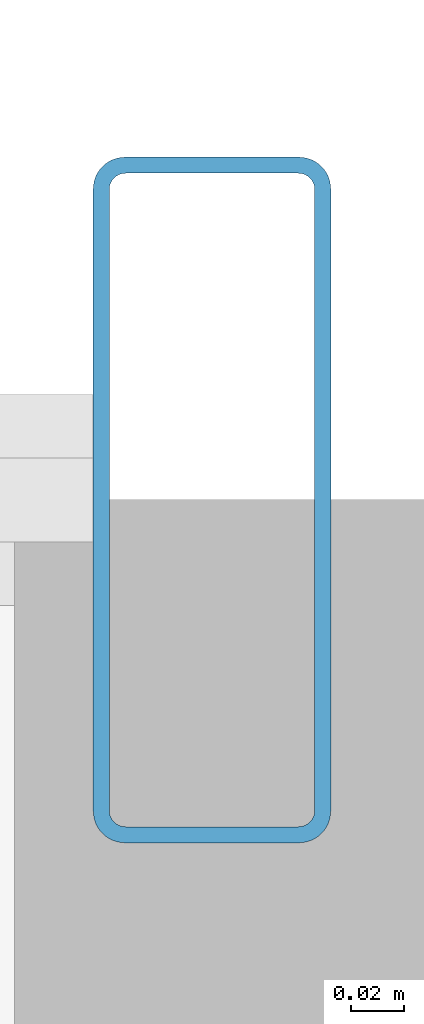
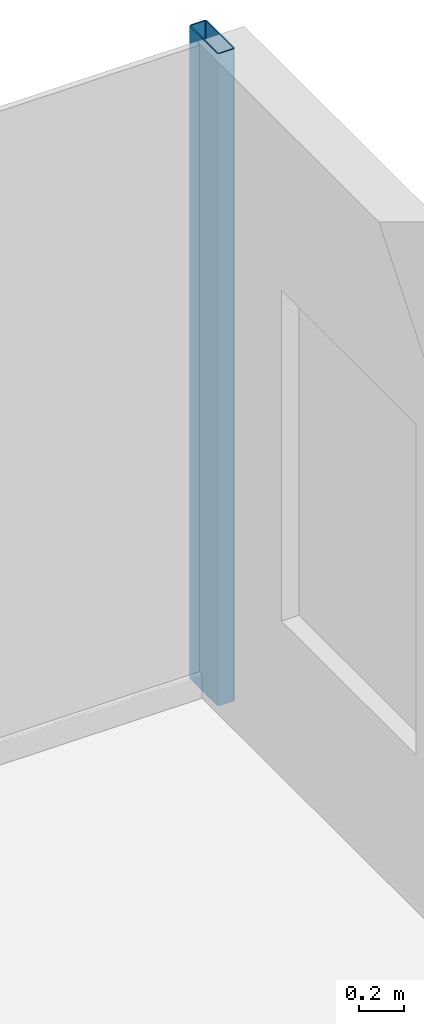
# One storey, part 14 of 26: 1 member, 1 element without a shape of its own.
"""IFC4 building model written with IfcOpenShell, lengths in metres."""

from ifc_helpers import new_model, si_unit, direction, frame, origin, origin_2d, place, context, subcontext, project, spatial, hollow_rectangle, extrude, source, transform, mapped, material, layer, layer_set, material_profile, profile_set, type_object, element, aggregate, save


model = new_model("IFC4")

# Units and contexts
model_context = context("Model", 3, precision=1e-05, world=origin(), true_north=direction((0.0, 1.0)))
body_context = subcontext(model_context, "Body", "Model", "MODEL_VIEW")
ifc_project = project(units=[si_unit("LENGTHUNIT", "METRE"), si_unit("AREAUNIT", "SQUARE_METRE"), si_unit("VOLUMEUNIT", "CUBIC_METRE"), si_unit("PLANEANGLEUNIT", "RADIAN"), si_unit("MASSUNIT", "GRAM", prefix="KILO")], contexts=[model_context])

# Site, building, storey
site_placement = place(None, origin())
site = spatial("IfcSite", under=ifc_project, at=site_placement, CompositionType="ELEMENT")
building_placement = place(site_placement, origin())
building = spatial("IfcBuilding", under=site, at=building_placement, Name="Nefas-Gora Pilgrimage Tower", CompositionType="ELEMENT")
storey_placement = place(building_placement, frame((0.0, 0.0, 132.60009765625)))
storey = spatial("IfcBuildingStorey", under=building, at=storey_placement, Name="L32", CompositionType="ELEMENT", Elevation=132.60009765625)

# Curtain wall, member
ifc_material_1 = material(Name="Dark ceramic-fritted solar-control aluminium-glass curtain wall", Category="aluminium")
ifc_layer = layer(ifc_material_1, 0.219970703125)
ifc_layer_set = layer_set([ifc_layer], Name="Dark ceramic-fritted solar-control aluminium-glass curtain wall")
curtain_wall_type = type_object("IfcCurtainWallType", Name="CW-SYS-2", PredefinedType="NOTDEFINED", material=ifc_layer_set)
curtain_wall_placement = place(storey_placement, origin())
curtain_wall = element("IfcCurtainWall", 1, at=curtain_wall_placement, inside=storey, type_object=curtain_wall_type, Name="L32 Unitised Curtain Wall CW2", PredefinedType="NOTDEFINED")
ifc_material_2 = material(Name="Anodised architectural aluminium", Category="aluminium")
ifc_material_profile = material_profile(ifc_material_2, hollow_rectangle(XDim=0.090087890625, YDim=0.260009765625, WallThickness=0.006103515625, InnerFilletRadius=0.006103515625, OuterFilletRadius=0.011962890625, at=origin_2d()), Name="ALU MULLION 90x260")
ifc_profile_set = profile_set([ifc_material_profile], Name="Anodised architectural aluminium")
member_type = type_object("IfcMemberType", Name="CWM-MUL-2", PredefinedType="MULLION", material=ifc_profile_set)
shared_shape = source(origin(), body_context, "Body", "SweptSolid", [
    extrude(hollow_rectangle(XDim=0.090087890625, YDim=0.260009765625, WallThickness=0.006103515625, InnerFilletRadius=0.006103515625, OuterFilletRadius=0.011962890625, at=origin_2d()), origin(), (0.0, 0.0, 1.0), 3.5498046875),
])
member_placement = place(storey_placement, frame((28.824951171875, 23.02001953125, 0.0), z_axis=(0.0, 0.0, 1.0), x_axis=(-1.0, 0.0, 0.0)))
member = element("IfcMember", 2, at=member_placement, type_object=member_type, Name="CW2 Mullion 1", PredefinedType="MULLION", context=body_context, shape_type="MappedRepresentation", body=[
    mapped(shared_shape, transform((0.0, 0.0, 0.0), x_axis=(1.0, 0.0, 0.0), y_axis=(0.0, 1.0, 0.0), z_axis=(0.0, 0.0, 1.0), scale=1.0)),
])
aggregate(curtain_wall, [member])

save(model, "model.ifc")
